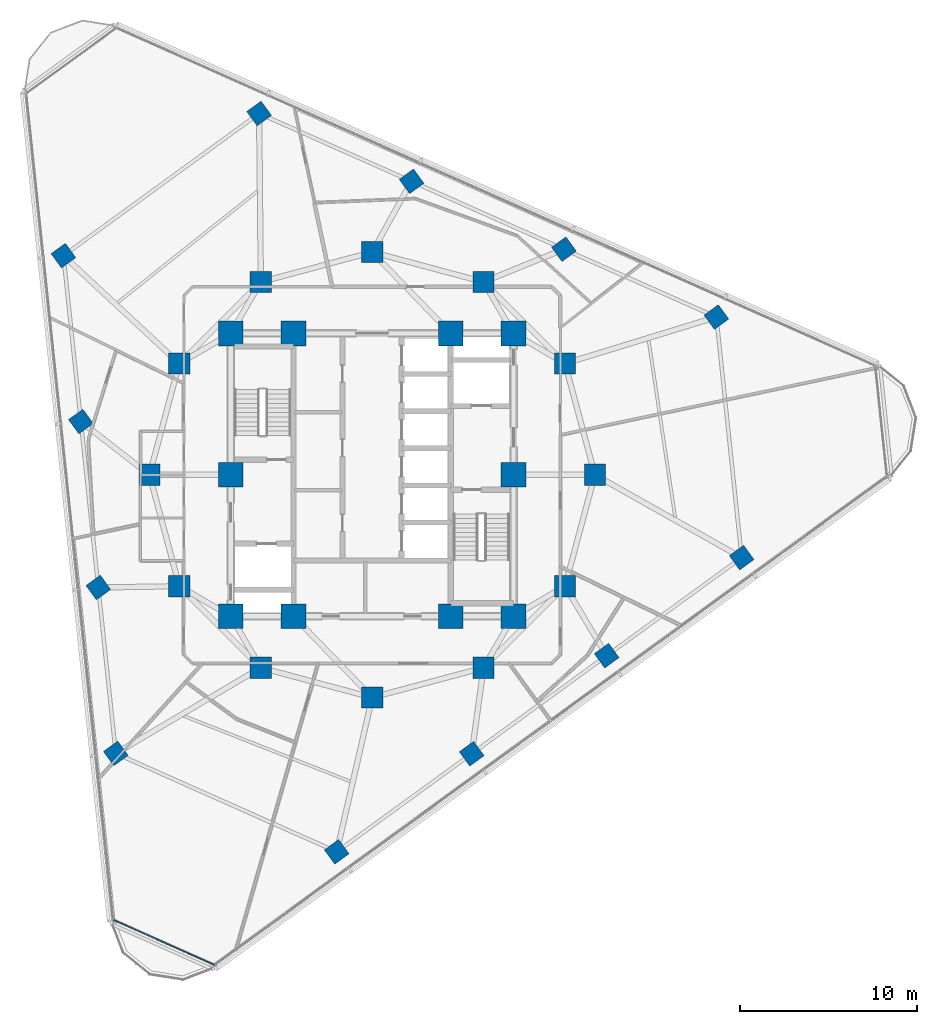
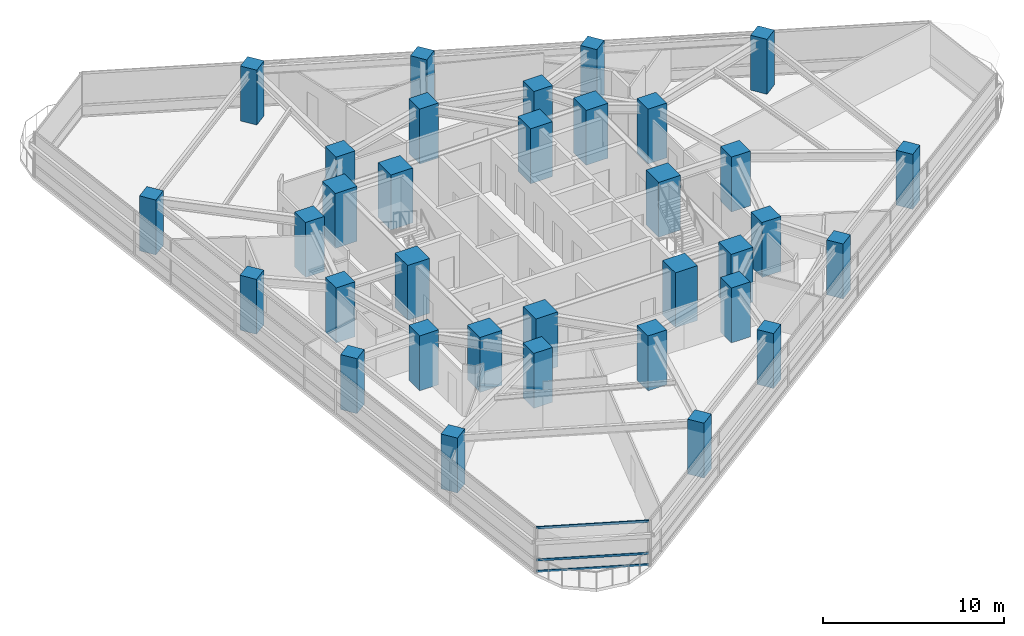
# One storey, part 1 of 14: 34 columns, 3 members, 1 element without a shape of its own.
"""IFC4 building model written with IfcOpenShell, lengths in metres."""

from ifc_helpers import new_model, si_unit, direction, frame, origin, origin_2d, place, context, subcontext, project, spatial, rectangle, extrude, material, layer, layer_set, material_profile, profile_set, type_object, element, aggregate, save


model = new_model("IFC4")

# Units and contexts
model_context = context("Model", 3, precision=1e-05, world=origin(), true_north=direction((0.0, 1.0)))
body_context = subcontext(model_context, "Body", "Model", "MODEL_VIEW")
ifc_project = project(units=[si_unit("LENGTHUNIT", "METRE"), si_unit("AREAUNIT", "SQUARE_METRE"), si_unit("VOLUMEUNIT", "CUBIC_METRE"), si_unit("PLANEANGLEUNIT", "RADIAN"), si_unit("MASSUNIT", "GRAM", prefix="KILO")], contexts=[model_context])

# Site, building, storey
site_placement = place(None, origin())
site = spatial("IfcSite", under=ifc_project, at=site_placement, CompositionType="ELEMENT")
building_placement = place(site_placement, origin())
building = spatial("IfcBuilding", under=site, at=building_placement, Name="Terralouvre Media Tower", CompositionType="ELEMENT")
storey_placement = place(building_placement, frame((0.0, 0.0, 165.699951171875)))
storey = spatial("IfcBuildingStorey", under=building, at=storey_placement, Name="L42", CompositionType="ELEMENT", Elevation=165.699951171875)

# Columns
ifc_material_1 = material(Name="Concrete C50/60", Category="concrete")
ifc_material_profile_1 = material_profile(ifc_material_1, rectangle(XDim=1.0, YDim=1.0, at=origin_2d()), Name="RC 1000x1000")
ifc_profile_set_1 = profile_set([ifc_material_profile_1], Name="Concrete C50/60")
column_type_1 = type_object("IfcColumnType", Name="Structural Column C-RC1000 (RC 1000x1000)", PredefinedType="COLUMN", material=ifc_profile_set_1)
for number, where, z_axis, x_axis, name in (
    (1, (-2.0068359375, -21.328369140625, 0.0), (0.0, 0.0, 1.0), (0.809016994375, 0.587785252292, 0.0), "L42 Perimeter Mega-Column PC11"),
    (2, (5.63037109375, -15.77978515625, 0.0), (0.0, 0.0, 1.0), (0.809016994375, 0.587785252292, 0.0), "L42 Perimeter Mega-Column PC12"),
    (3, (13.267578125, -10.23095703125, 0.0), (0.0, 0.0, 1.0), (0.809016994375, 0.587785252292, 0.0), "L42 Perimeter Mega-Column PC13"),
    (4, (20.904541015625, -4.682373046875, 0.0), (0.0, 0.0, 1.0), (0.809016994375, 0.587785252292, 0.0), "L42 Perimeter Mega-Column PC14"),
    (5, (19.474365234375, 8.92626953125, 0.0), (0.0, 0.0, 1.0), (0.809016994375, 0.587785252292, 0.0), "L42 Perimeter Mega-Column PC21"),
    (6, (10.850341796875, 12.765869140625, 0.0), (0.0, 0.0, 1.0), (0.809016994375, 0.587785252292, 0.0), "L42 Perimeter Mega-Column PC22"),
    (7, (2.2265625, 16.60546875, 0.0), (0.0, 0.0, 1.0), (0.809016994375, 0.587785252292, 0.0), "L42 Perimeter Mega-Column PC23"),
    (8, (-6.397216796875, 20.445068359375, 0.0), (0.0, 0.0, 1.0), (0.809016994375, 0.587785252292, 0.0), "L42 Perimeter Mega-Column PC24"),
    (9, (-17.467529296875, 12.402099609375, 0.0), (0.0, 0.0, 1.0), (0.809016994375, 0.587785252292, 0.0), "L42 Perimeter Mega-Column PC31"),
    (10, (-16.480712890625, 3.013916015625, 0.0), (0.0, 0.0, 1.0), (0.809016994375, 0.587785252292, 0.0), "L42 Perimeter Mega-Column PC32"),
    (11, (-15.494140625, -6.37451171875, 0.0), (0.0, 0.0, 1.0), (0.809016994375, 0.587785252292, 0.0), "L42 Perimeter Mega-Column PC33"),
    (12, (-14.50732421875, -15.7626953125, 0.0), (0.0, 0.0, 1.0), (0.809016994375, 0.587785252292, 0.0), "L42 Perimeter Mega-Column PC34"),
):
    element("IfcColumn", number, at=place(storey_placement, frame(where, z_axis=z_axis, x_axis=x_axis)), inside=storey, type_object=column_type_1, Name=name, PredefinedType="COLUMN", context=body_context, shape_type="SweptSolid", body=[
        extrude(rectangle(XDim=1.0, YDim=1.0, at=origin_2d()), origin(), (0.0, 0.0, 1.0), 3.699951171875),
    ])
ifc_material_2 = material(Name="Concrete C60/75", Category="concrete")
ifc_material_profile_2 = material_profile(ifc_material_2, rectangle(XDim=1.199951171875, YDim=1.199951171875, at=origin_2d()), Name="RC 1200x1200")
ifc_profile_set_2 = profile_set([ifc_material_profile_2], Name="Concrete C60/75")
column_type_2 = type_object("IfcColumnType", Name="Structural Column C-RC1200 (RC 1200x1200)", PredefinedType="COLUMN", material=ifc_profile_set_2)
for number, where, z_axis, x_axis, name in (
    (13, (12.60009765625, 0.0, 0.0), (0.0, 0.0, 1.0), (1.0, 0.0, 0.0), "L42 Mega-Frame Column MC01"),
    (14, (10.911865234375, 6.300048828125, 0.0), (0.0, 0.0, 1.0), (1.0, 0.0, 0.0), "L42 Mega-Frame Column MC02"),
    (15, (6.300048828125, 10.911865234375, 0.0), (0.0, 0.0, 1.0), (1.0, 0.0, 0.0), "L42 Mega-Frame Column MC03"),
    (16, (0.0, 12.60009765625, 0.0), (0.0, 0.0, 1.0), (1.0, 0.0, 0.0), "L42 Mega-Frame Column MC04"),
    (17, (-6.300048828125, 10.911865234375, 0.0), (0.0, 0.0, 1.0), (1.0, 0.0, 0.0), "L42 Mega-Frame Column MC05"),
    (18, (-10.911865234375, 6.300048828125, 0.0), (0.0, 0.0, 1.0), (1.0, 0.0, 0.0), "L42 Mega-Frame Column MC06"),
    (19, (-12.60009765625, 0.0, 0.0), (0.0, 0.0, 1.0), (1.0, 0.0, 0.0), "L42 Mega-Frame Column MC07"),
    (20, (-10.911865234375, -6.300048828125, 0.0), (0.0, 0.0, 1.0), (1.0, 0.0, 0.0), "L42 Mega-Frame Column MC08"),
    (21, (-6.300048828125, -10.911865234375, 0.0), (0.0, 0.0, 1.0), (1.0, 0.0, 0.0), "L42 Mega-Frame Column MC09"),
    (22, (0.0, -12.60009765625, 0.0), (0.0, 0.0, 1.0), (1.0, 0.0, 0.0), "L42 Mega-Frame Column MC10"),
    (23, (6.300048828125, -10.911865234375, 0.0), (0.0, 0.0, 1.0), (1.0, 0.0, 0.0), "L42 Mega-Frame Column MC11"),
    (24, (10.911865234375, -6.300048828125, 0.0), (0.0, 0.0, 1.0), (1.0, 0.0, 0.0), "L42 Mega-Frame Column MC12"),
):
    element("IfcColumn", number, at=place(storey_placement, frame(where, z_axis=z_axis, x_axis=x_axis)), inside=storey, type_object=column_type_2, Name=name, PredefinedType="COLUMN", context=body_context, shape_type="SweptSolid", body=[
        extrude(rectangle(XDim=1.199951171875, YDim=1.199951171875, at=origin_2d()), origin(), (0.0, 0.0, 1.0), 3.699951171875),
    ])
ifc_material_3 = material(Name="Concrete C60/75", Category="concrete")
ifc_material_profile_3 = material_profile(ifc_material_3, rectangle(XDim=1.39990234375, YDim=1.39990234375, at=origin_2d()), Name="RC 1400x1400")
ifc_profile_set_3 = profile_set([ifc_material_profile_3], Name="Concrete C60/75")
column_type_3 = type_object("IfcColumnType", Name="Structural Column C-RC1400 (RC 1400x1400)", PredefinedType="COLUMN", material=ifc_profile_set_3)
for number, where, z_axis, x_axis, name in (
    (25, (-8.0, -8.0, 0.0), (0.0, 0.0, 1.0), (1.0, 0.0, 0.0), "L42 Core Pilaster Column CP1"),
    (26, (-4.449951171875, -8.0, 0.0), (0.0, 0.0, 1.0), (1.0, 0.0, 0.0), "L42 Core Pilaster Column CP2"),
    (27, (4.449951171875, -8.0, 0.0), (0.0, 0.0, 1.0), (1.0, 0.0, 0.0), "L42 Core Pilaster Column CP10"),
    (28, (8.0, -8.0, 0.0), (0.0, 0.0, 1.0), (1.0, 0.0, 0.0), "L42 Core Pilaster Column CP3"),
    (29, (8.0, 0.0, 0.0), (0.0, 0.0, 1.0), (1.0, 0.0, 0.0), "L42 Core Pilaster Column CP4"),
    (30, (8.0, 8.0, 0.0), (0.0, 0.0, 1.0), (1.0, 0.0, 0.0), "L42 Core Pilaster Column CP5"),
    (31, (4.449951171875, 8.0, 0.0), (0.0, 0.0, 1.0), (1.0, 0.0, 0.0), "L42 Core Pilaster Column CP9"),
    (32, (-4.449951171875, 8.0, 0.0), (0.0, 0.0, 1.0), (1.0, 0.0, 0.0), "L42 Core Pilaster Column CP6"),
    (33, (-8.0, 8.0, 0.0), (0.0, 0.0, 1.0), (1.0, 0.0, 0.0), "L42 Core Pilaster Column CP7"),
    (34, (-8.0, 0.0, 0.0), (0.0, 0.0, 1.0), (1.0, 0.0, 0.0), "L42 Core Pilaster Column CP8"),
):
    element("IfcColumn", number, at=place(storey_placement, frame(where, z_axis=z_axis, x_axis=x_axis)), inside=storey, type_object=column_type_3, Name=name, PredefinedType="COLUMN", context=body_context, shape_type="SweptSolid", body=[
        extrude(rectangle(XDim=1.39990234375, YDim=1.39990234375, at=origin_2d()), origin(), (0.0, 0.0, 1.0), 3.699951171875),
    ])

# Curtain wall, members
ifc_material_4 = material(Name="Low-iron laminated double glazing with solar-control coating", Category="glass")
ifc_layer = layer(ifc_material_4, 0.1650390625, Name="Rounded Wind-Corner Curved Glazing CW-04")
ifc_layer_set = layer_set([ifc_layer], Name="Low-iron laminated double glazing with solar-control coating")
curtain_wall_type = type_object("IfcCurtainWallType", Name="Rounded Wind-Corner Curved Glazing CW-04", PredefinedType="NOTDEFINED", material=ifc_layer_set)
curtain_wall_placement = place(storey_placement, origin())
curtain_wall = element("IfcCurtainWall", 35, at=curtain_wall_placement, inside=storey, type_object=curtain_wall_type, Name="L42 Rounded Wind-Corner Curtain Wall C0", PredefinedType="NOTDEFINED")
ifc_material_5 = material(Name="Anodised extruded aluminium 6063-T6", Category="aluminium")
ifc_material_profile_4 = material_profile(ifc_material_5, rectangle(XDim=0.074951171875, YDim=0.14990234375, at=origin_2d()), Name="ALU 75x150")
ifc_profile_set_4 = profile_set([ifc_material_profile_4], Name="Anodised extruded aluminium 6063-T6")
member_type = type_object("IfcMemberType", Name="Curtain-Wall Horizontal Transom TR-150", PredefinedType="USERDEFINED", material=ifc_profile_set_4)
member_1_placement = place(storey_placement, frame((-14.63818359375, -25.184326171875, 0.03759765625), z_axis=(0.913542712087, -0.406742809639, 0.0), x_axis=(0.406742809639, 0.913542712087, 0.0)))
member_1 = element("IfcMember", 36, at=member_1_placement, type_object=member_type, Name="CW-04 transom 1.1", ObjectType="TRANSOM", PredefinedType="USERDEFINED", context=body_context, shape_type="SweptSolid", body=[
    extrude(rectangle(XDim=0.074951171875, YDim=0.14990234375, at=origin_2d()), origin(), (0.0, 0.0, 1.0), 6.258544921875),
])
member_2_placement = place(storey_placement, frame((-14.63818359375, -25.184326171875, 0.800048828125), z_axis=(0.913542712087, -0.406742809639, 0.0), x_axis=(0.406742809639, 0.913542712087, 0.0)))
member_2 = element("IfcMember", 37, at=member_2_placement, type_object=member_type, Name="CW-04 transom 1.2", ObjectType="TRANSOM", PredefinedType="USERDEFINED", context=body_context, shape_type="SweptSolid", body=[
    extrude(rectangle(XDim=0.074951171875, YDim=0.14990234375, at=origin_2d()), origin(), (0.0, 0.0, 1.0), 6.258544921875),
])
member_3_placement = place(storey_placement, frame((-14.63818359375, -25.184326171875, 2.962646484375), z_axis=(0.913542712087, -0.406742809639, 0.0), x_axis=(0.406742809639, 0.913542712087, 0.0)))
member_3 = element("IfcMember", 38, at=member_3_placement, type_object=member_type, Name="CW-04 transom 1.3", ObjectType="TRANSOM", PredefinedType="USERDEFINED", context=body_context, shape_type="SweptSolid", body=[
    extrude(rectangle(XDim=0.074951171875, YDim=0.14990234375, at=origin_2d()), origin(), (0.0, 0.0, 1.0), 6.258544921875),
])
aggregate(curtain_wall, [member_1, member_2, member_3])

save(model, "model.ifc")
